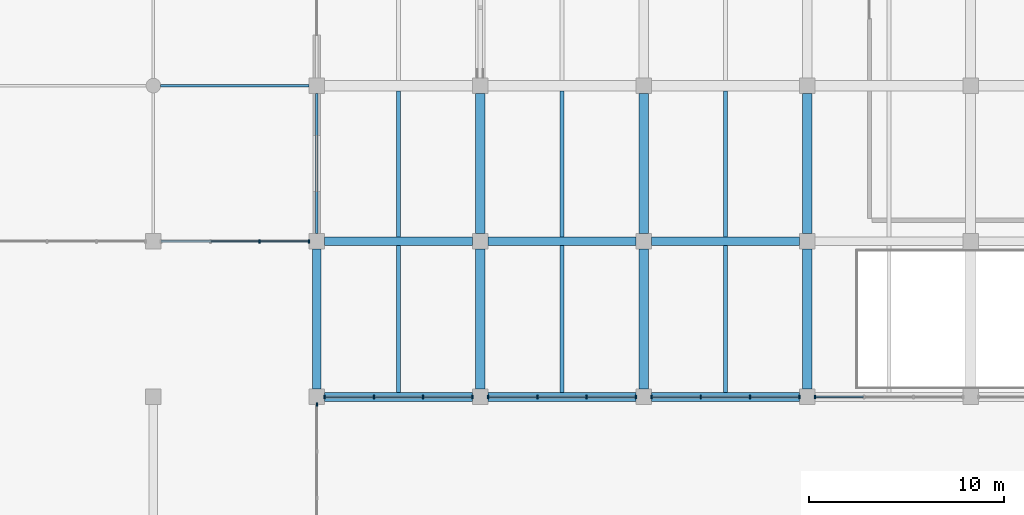
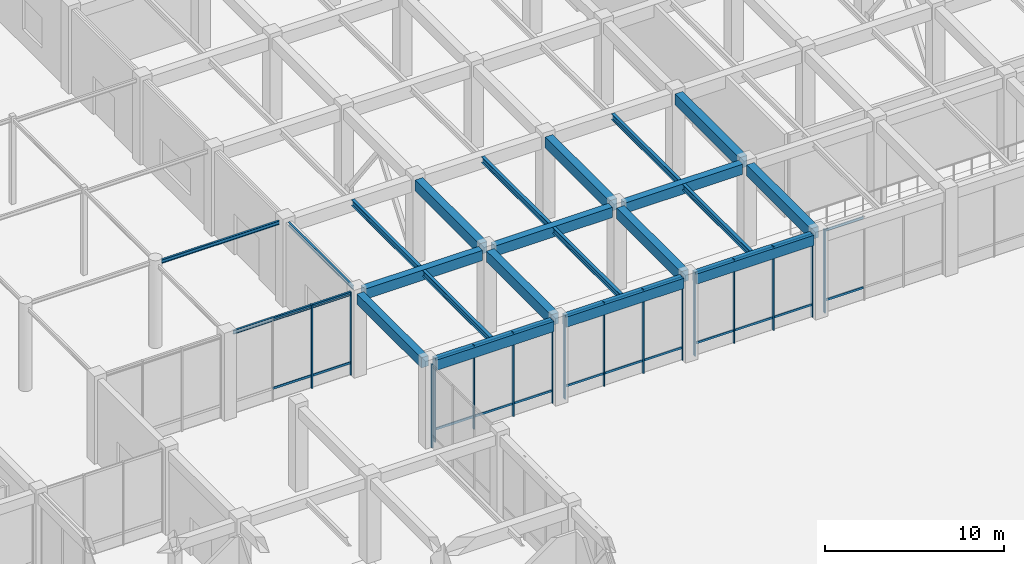
# One storey, part 32 of 76: 40 members, 22 beams, 6 elements without a shape of their own.
"""IFC4 building model written with IfcOpenShell, lengths in metres."""

from ifc_helpers import new_model, si_unit, direction, frame, origin, origin_2d, place, context, subcontext, project, spatial, rectangle, i_section, extrude, material, layer, layer_set, material_profile, profile_set, type_object, element, aggregate, save


model = new_model("IFC4")

# Units and contexts
model_context = context("Model", 3, precision=1e-05, world=origin(), true_north=direction((0.0, 1.0)))
body_context = subcontext(model_context, "Body", "Model", "MODEL_VIEW")
ifc_project = project(units=[si_unit("LENGTHUNIT", "METRE"), si_unit("AREAUNIT", "SQUARE_METRE"), si_unit("VOLUMEUNIT", "CUBIC_METRE"), si_unit("PLANEANGLEUNIT", "RADIAN"), si_unit("MASSUNIT", "GRAM", prefix="KILO")], contexts=[model_context])

# Site, building, storey
site_placement = place(None, origin())
site = spatial("IfcSite", under=ifc_project, at=site_placement, CompositionType="ELEMENT")
building_placement = place(site_placement, origin())
building = spatial("IfcBuilding", under=site, at=building_placement, Name="Naruveol Harbour Congress Hotel", CompositionType="ELEMENT")
storey_placement = place(building_placement, origin())
storey = spatial("IfcBuildingStorey", under=building, at=storey_placement, Name="L00", CompositionType="ELEMENT", Elevation=0.0)

# Beams
ifc_material_1 = material(Name="Concrete C40/50", Category="concrete")
ifc_material_profile_1 = material_profile(ifc_material_1, rectangle(XDim=0.5, YDim=0.75, at=origin_2d()), Name="RCB-500x750")
ifc_profile_set_1 = profile_set([ifc_material_profile_1], Name="Concrete C40/50")
beam_type_1 = type_object("IfcBeamType", Name="RC FLOOR GIRDER 500X750", PredefinedType="BEAM", material=ifc_profile_set_1)
for number, where, z_axis, x_axis, name in (
    (1, (75.60009765625, 64.39599609375, 5.324951171875), (0.0, 1.0, 0.0), (-1.0, 0.0, 0.0), "Transverse girder L01 CB3"),
    (2, (75.60009765625, 72.39599609375, 5.324951171875), (0.0, 1.0, 0.0), (-1.0, 0.0, 0.0), "Transverse girder L01 CB3"),
    (3, (84.0, 64.39599609375, 5.324951171875), (0.0, 1.0, 0.0), (-1.0, 0.0, 0.0), "Transverse girder L01 CB3"),
    (4, (84.0, 72.39599609375, 5.324951171875), (0.0, 1.0, 0.0), (-1.0, 0.0, 0.0), "Transverse girder L01 CB3"),
    (5, (92.39990234375, 64.39599609375, 5.324951171875), (0.0, 1.0, 0.0), (-1.0, 0.0, 0.0), "Transverse girder L01 CB3"),
    (6, (92.39990234375, 72.39599609375, 5.324951171875), (0.0, 1.0, 0.0), (-1.0, 0.0, 0.0), "Transverse girder L01 CB3"),
):
    element("IfcBeam", number, at=place(storey_placement, frame(where, z_axis=z_axis, x_axis=x_axis)), inside=storey, type_object=beam_type_1, Name=name, PredefinedType="BEAM", context=body_context, shape_type="SweptSolid", body=[
        extrude(rectangle(XDim=0.5, YDim=0.75, at=origin_2d()), origin(), (0.0, 0.0, 1.0), 7.2080078125),
    ])
ifc_material_2 = material(Name="Concrete C40/50", Category="concrete")
ifc_material_profile_2 = material_profile(ifc_material_2, rectangle(XDim=0.449951171875, YDim=0.699951171875, at=origin_2d()), Name="RCB-450x700")
ifc_profile_set_2 = profile_set([ifc_material_profile_2], Name="Concrete C40/50")
beam_type_2 = type_object("IfcBeamType", Name="RC SPANDREL BEAM 450X700", PredefinedType="SPANDREL", material=ifc_profile_set_2)
beam_1_placement = place(storey_placement, frame((67.595947265625, 64.0, 5.35009765625), z_axis=(1.0, 0.0, 0.0), x_axis=(0.0, 1.0, 0.0)))
element("IfcBeam", 7, at=beam_1_placement, inside=storey, type_object=beam_type_2, Name="Floor girder L01 SPB1", PredefinedType="SPANDREL", context=body_context, shape_type="SweptSolid", body=[
    extrude(rectangle(XDim=0.449951171875, YDim=0.699951171875, at=origin_2d()), origin(), (0.0, 0.0, 1.0), 7.608154296875),
])
for number, where, z_axis, x_axis, name in (
    (8, (75.99609375, 64.0, 5.35009765625), (1.0, 0.0, 0.0), (0.0, 1.0, 0.0), "Floor girder L01 SPB1"),
    (9, (84.39599609375, 64.0, 5.35009765625), (1.0, 0.0, 0.0), (0.0, 1.0, 0.0), "Floor girder L01 SPB1"),
):
    element("IfcBeam", number, at=place(storey_placement, frame(where, z_axis=z_axis, x_axis=x_axis)), inside=storey, type_object=beam_type_2, Name=name, PredefinedType="SPANDREL", context=body_context, shape_type="SweptSolid", body=[
        extrude(rectangle(XDim=0.449951171875, YDim=0.699951171875, at=origin_2d()), origin(), (0.0, 0.0, 1.0), 7.60791015625),
    ])
beam_2_placement = place(storey_placement, frame((67.595947265625, 72.0, 5.35009765625), z_axis=(1.0, 0.0, 0.0), x_axis=(0.0, 1.0, 0.0)))
element("IfcBeam", 10, at=beam_2_placement, inside=storey, type_object=beam_type_2, Name="Floor girder L01 SPB1", PredefinedType="SPANDREL", context=body_context, shape_type="SweptSolid", body=[
    extrude(rectangle(XDim=0.449951171875, YDim=0.699951171875, at=origin_2d()), origin(), (0.0, 0.0, 1.0), 7.608154296875),
])
for number, where, z_axis, x_axis, name in (
    (11, (75.99609375, 72.0, 5.35009765625), (1.0, 0.0, 0.0), (0.0, 1.0, 0.0), "Floor girder L01 SPB1"),
    (12, (84.39599609375, 72.0, 5.35009765625), (1.0, 0.0, 0.0), (0.0, 1.0, 0.0), "Floor girder L01 SPB1"),
):
    element("IfcBeam", number, at=place(storey_placement, frame(where, z_axis=z_axis, x_axis=x_axis)), inside=storey, type_object=beam_type_2, Name=name, PredefinedType="SPANDREL", context=body_context, shape_type="SweptSolid", body=[
        extrude(rectangle(XDim=0.449951171875, YDim=0.699951171875, at=origin_2d()), origin(), (0.0, 0.0, 1.0), 7.60791015625),
    ])
beam_3_placement = place(storey_placement, frame((67.199951171875, 64.39599609375, 5.35009765625), z_axis=(0.0, 1.0, 0.0), x_axis=(-1.0, 0.0, 0.0)))
element("IfcBeam", 13, at=beam_3_placement, inside=storey, type_object=beam_type_2, Name="Transverse girder L01 SPB1", PredefinedType="SPANDREL", context=body_context, shape_type="SweptSolid", body=[
    extrude(rectangle(XDim=0.449951171875, YDim=0.699951171875, at=origin_2d()), origin(), (0.0, 0.0, 1.0), 7.2080078125),
])
ifc_material_3 = material(Name="Steel SN490", Category="steel")
ifc_material_profile_3 = material_profile(ifc_material_3, i_section(OverallWidth=0.125, OverallDepth=0.25, WebThickness=0.006103515625, FlangeThickness=0.009033203125, at=origin_2d()), Name="H-250x125x6x9")
ifc_profile_set_3 = profile_set([ifc_material_profile_3], Name="Steel SN490")
beam_type_3 = type_object("IfcBeamType", Name="STEEL CANOPY EDGE BEAM H250", PredefinedType="BEAM", material=ifc_profile_set_3)
beam_4_placement = place(storey_placement, frame((59.196044921875, 72.0, 5.574951171875), z_axis=(1.0, 0.0, 0.0), x_axis=(0.0, 1.0, 0.0)))
element("IfcBeam", 14, at=beam_4_placement, inside=storey, type_object=beam_type_3, Name="Floor girder L01 SB3", PredefinedType="BEAM", context=body_context, shape_type="SweptSolid", body=[
    extrude(i_section(OverallWidth=0.125, OverallDepth=0.25, WebThickness=0.006103515625, FlangeThickness=0.009033203125, at=origin_2d()), origin(), (0.0, 0.0, 1.0), 7.60791015625),
])
beam_5_placement = place(storey_placement, frame((59.1708984375, 80.0, 5.574951171875), z_axis=(1.0, 0.0, 0.0), x_axis=(0.0, 1.0, 0.0)))
element("IfcBeam", 15, at=beam_5_placement, inside=storey, type_object=beam_type_3, Name="Floor girder L01 SB3", PredefinedType="BEAM", context=body_context, shape_type="SweptSolid", body=[
    extrude(i_section(OverallWidth=0.125, OverallDepth=0.25, WebThickness=0.006103515625, FlangeThickness=0.009033203125, at=origin_2d()), origin(), (0.0, 0.0, 1.0), 7.633056640625),
])
beam_6_placement = place(storey_placement, frame((67.199951171875, 72.39599609375, 5.574951171875), z_axis=(0.0, 1.0, 0.0), x_axis=(-1.0, 0.0, 0.0)))
element("IfcBeam", 16, at=beam_6_placement, inside=storey, type_object=beam_type_3, Name="Transverse girder L01 SB3", PredefinedType="BEAM", context=body_context, shape_type="SweptSolid", body=[
    extrude(i_section(OverallWidth=0.125, OverallDepth=0.25, WebThickness=0.006103515625, FlangeThickness=0.009033203125, at=origin_2d()), origin(), (0.0, 0.0, 1.0), 7.2080078125),
])
ifc_material_4 = material(Name="Steel SN490", Category="steel")
ifc_material_profile_4 = material_profile(ifc_material_4, i_section(OverallWidth=0.199951171875, OverallDepth=0.39990234375, WebThickness=0.008056640625, FlangeThickness=0.012939453125, at=origin_2d()), Name="H-400x200x8x13")
ifc_profile_set_4 = profile_set([ifc_material_profile_4], Name="Steel SN490")
beam_type_4 = type_object("IfcBeamType", Name="STEEL SECONDARY JOIST H400", PredefinedType="JOIST", material=ifc_profile_set_4)
for number, where, z_axis, x_axis, name in (
    (17, (71.39990234375, 64.220947265625, 5.5), (0.0, 1.0, 0.0), (-1.0, 0.0, 0.0), "Secondary floor joist L01 SJ1"),
    (18, (79.800048828125, 64.220947265625, 5.5), (0.0, 1.0, 0.0), (-1.0, 0.0, 0.0), "Secondary floor joist L01 SJ1"),
    (19, (88.199951171875, 64.220947265625, 5.5), (0.0, 1.0, 0.0), (-1.0, 0.0, 0.0), "Secondary floor joist L01 SJ1"),
):
    element("IfcBeam", number, at=place(storey_placement, frame(where, z_axis=z_axis, x_axis=x_axis)), inside=storey, type_object=beam_type_4, Name=name, PredefinedType="JOIST", context=body_context, shape_type="SweptSolid", body=[
        extrude(i_section(OverallWidth=0.199951171875, OverallDepth=0.39990234375, WebThickness=0.008056640625, FlangeThickness=0.012939453125, at=origin_2d()), origin(), (0.0, 0.0, 1.0), 7.55810546875),
    ])
for number, where, z_axis, x_axis, name in (
    (20, (71.39990234375, 72.220947265625, 5.5), (0.0, 1.0, 0.0), (-1.0, 0.0, 0.0), "Secondary floor joist L01 SJ1"),
    (21, (79.800048828125, 72.220947265625, 5.5), (0.0, 1.0, 0.0), (-1.0, 0.0, 0.0), "Secondary floor joist L01 SJ1"),
    (22, (88.199951171875, 72.220947265625, 5.5), (0.0, 1.0, 0.0), (-1.0, 0.0, 0.0), "Secondary floor joist L01 SJ1"),
):
    element("IfcBeam", number, at=place(storey_placement, frame(where, z_axis=z_axis, x_axis=x_axis)), inside=storey, type_object=beam_type_4, Name=name, PredefinedType="JOIST", context=body_context, shape_type="SweptSolid", body=[
        extrude(i_section(OverallWidth=0.199951171875, OverallDepth=0.39990234375, WebThickness=0.008056640625, FlangeThickness=0.012939453125, at=origin_2d()), origin(), (0.0, 0.0, 1.0), 7.508056640625),
    ])

# Curtain wall, members
ifc_material_5 = material(Name="Low-E Curtain Wall System", Category="glass")
ifc_layer_1 = layer(ifc_material_5, 0.179931640625)
ifc_layer_set_1 = layer_set([ifc_layer_1], Name="Low-E Curtain Wall System")
curtain_wall_type_1 = type_object("IfcCurtainWallType", Name="UNITISED CURTAIN WALL CW-V4NF-25 7600X5700", PredefinedType="USERDEFINED", material=ifc_layer_set_1)
curtain_wall_1_placement = place(storey_placement, origin())
curtain_wall_1 = element("IfcCurtainWall", 23, at=curtain_wall_1_placement, inside=storey, type_object=curtain_wall_type_1, Name="Unitised curtain wall CW-V4NF-25 L00", ObjectType="UNITISED GLAZING", PredefinedType="USERDEFINED")
ifc_material_6 = material(Name="Anodised Aluminium 6063-T6", Category="aluminium")
ifc_material_profile_5 = material_profile(ifc_material_6, rectangle(XDim=0.074951171875, YDim=0.179931640625, at=origin_2d()), Name="ALU-75x180")
ifc_profile_set_5 = profile_set([ifc_material_profile_5], Name="Anodised Aluminium 6063-T6")
member_type_1 = type_object("IfcMemberType", Name="THERMAL ALUMINIUM MULLION 75X180", PredefinedType="MULLION", material=ifc_profile_set_5)
member_1_placement = place(storey_placement, frame((64.2666015625, 72.0, 0.0), z_axis=(0.0, 0.0, 1.0), x_axis=(1.0, 0.0, 0.0)))
member_1 = element("IfcMember", 24, at=member_1_placement, type_object=member_type_1, Name="Curtain wall mullion CW-L00-0053-M2", PredefinedType="MULLION", context=body_context, shape_type="SweptSolid", body=[
    extrude(rectangle(XDim=0.074951171875, YDim=0.179931640625, at=origin_2d()), origin(), (0.0, 0.0, 1.0), 5.699951171875),
])
member_2_placement = place(storey_placement, frame((66.800048828125, 72.0, 0.0), z_axis=(0.0, 0.0, 1.0), x_axis=(1.0, 0.0, 0.0)))
member_2 = element("IfcMember", 25, at=member_2_placement, type_object=member_type_1, Name="Curtain wall mullion CW-L00-0053-M3", PredefinedType="MULLION", context=body_context, shape_type="SweptSolid", body=[
    extrude(rectangle(XDim=0.074951171875, YDim=0.179931640625, at=origin_2d()), origin(), (0.0, 0.0, 1.0), 5.699951171875),
])

ifc_material_7 = material(Name="Low-E Curtain Wall System", Category="glass")
ifc_layer_2 = layer(ifc_material_7, 0.179931640625)
ifc_layer_set_2 = layer_set([ifc_layer_2], Name="Low-E Curtain Wall System")
curtain_wall_type_2 = type_object("IfcCurtainWallType", Name="UNITISED CURTAIN WALL CW-CTN-26 7600X5700", PredefinedType="USERDEFINED", material=ifc_layer_set_2)
curtain_wall_2_placement = place(storey_placement, origin())
curtain_wall_2 = element("IfcCurtainWall", 26, at=curtain_wall_2_placement, inside=storey, type_object=curtain_wall_type_2, Name="Unitised curtain wall CW-CTN-26 L00", ObjectType="UNITISED GLAZING", PredefinedType="USERDEFINED")
member_3_placement = place(storey_placement, frame((75.199951171875, 64.0, 0.0), z_axis=(0.0, 0.0, 1.0), x_axis=(1.0, 0.0, 0.0)))
member_3 = element("IfcMember", 27, at=member_3_placement, type_object=member_type_1, Name="Curtain wall mullion CW-L00-0054-M0", PredefinedType="MULLION", context=body_context, shape_type="SweptSolid", body=[
    extrude(rectangle(XDim=0.074951171875, YDim=0.179931640625, at=origin_2d()), origin(), (0.0, 0.0, 1.0), 5.699951171875),
])
member_4_placement = place(storey_placement, frame((72.666748046875, 64.0, 0.0), z_axis=(0.0, 0.0, 1.0), x_axis=(1.0, 0.0, 0.0)))
member_4 = element("IfcMember", 28, at=member_4_placement, type_object=member_type_1, Name="Curtain wall mullion CW-L00-0054-M1", PredefinedType="MULLION", context=body_context, shape_type="SweptSolid", body=[
    extrude(rectangle(XDim=0.074951171875, YDim=0.179931640625, at=origin_2d()), origin(), (0.0, 0.0, 1.0), 5.699951171875),
])
member_5_placement = place(storey_placement, frame((70.13330078125, 64.0, 0.0), z_axis=(0.0, 0.0, 1.0), x_axis=(1.0, 0.0, 0.0)))
member_5 = element("IfcMember", 29, at=member_5_placement, type_object=member_type_1, Name="Curtain wall mullion CW-L00-0054-M2", PredefinedType="MULLION", context=body_context, shape_type="SweptSolid", body=[
    extrude(rectangle(XDim=0.074951171875, YDim=0.179931640625, at=origin_2d()), origin(), (0.0, 0.0, 1.0), 5.699951171875),
])
member_6_placement = place(storey_placement, frame((67.60009765625, 64.0, 0.0), z_axis=(0.0, 0.0, 1.0), x_axis=(1.0, 0.0, 0.0)))
member_6 = element("IfcMember", 30, at=member_6_placement, type_object=member_type_1, Name="Curtain wall mullion CW-L00-0054-M3", PredefinedType="MULLION", context=body_context, shape_type="SweptSolid", body=[
    extrude(rectangle(XDim=0.074951171875, YDim=0.179931640625, at=origin_2d()), origin(), (0.0, 0.0, 1.0), 5.699951171875),
])

curtain_wall_3_placement = place(storey_placement, origin())
curtain_wall_3 = element("IfcCurtainWall", 31, at=curtain_wall_3_placement, inside=storey, type_object=curtain_wall_type_2, Name="Unitised curtain wall CW-CTN-26 L00", ObjectType="UNITISED GLAZING", PredefinedType="USERDEFINED")
member_7_placement = place(storey_placement, frame((83.60009765625, 64.0, 0.0), z_axis=(0.0, 0.0, 1.0), x_axis=(1.0, 0.0, 0.0)))
member_7 = element("IfcMember", 32, at=member_7_placement, type_object=member_type_1, Name="Curtain wall mullion CW-L00-0056-M0", PredefinedType="MULLION", context=body_context, shape_type="SweptSolid", body=[
    extrude(rectangle(XDim=0.074951171875, YDim=0.179931640625, at=origin_2d()), origin(), (0.0, 0.0, 1.0), 5.699951171875),
])
member_8_placement = place(storey_placement, frame((81.066650390625, 64.0, 0.0), z_axis=(0.0, 0.0, 1.0), x_axis=(1.0, 0.0, 0.0)))
member_8 = element("IfcMember", 33, at=member_8_placement, type_object=member_type_1, Name="Curtain wall mullion CW-L00-0056-M1", PredefinedType="MULLION", context=body_context, shape_type="SweptSolid", body=[
    extrude(rectangle(XDim=0.074951171875, YDim=0.179931640625, at=origin_2d()), origin(), (0.0, 0.0, 1.0), 5.699951171875),
])
member_9_placement = place(storey_placement, frame((78.533203125, 64.0, 0.0), z_axis=(0.0, 0.0, 1.0), x_axis=(1.0, 0.0, 0.0)))
member_9 = element("IfcMember", 34, at=member_9_placement, type_object=member_type_1, Name="Curtain wall mullion CW-L00-0056-M2", PredefinedType="MULLION", context=body_context, shape_type="SweptSolid", body=[
    extrude(rectangle(XDim=0.074951171875, YDim=0.179931640625, at=origin_2d()), origin(), (0.0, 0.0, 1.0), 5.699951171875),
])
member_10_placement = place(storey_placement, frame((76.0, 64.0, 0.0), z_axis=(0.0, 0.0, 1.0), x_axis=(1.0, 0.0, 0.0)))
member_10 = element("IfcMember", 35, at=member_10_placement, type_object=member_type_1, Name="Curtain wall mullion CW-L00-0056-M3", PredefinedType="MULLION", context=body_context, shape_type="SweptSolid", body=[
    extrude(rectangle(XDim=0.074951171875, YDim=0.179931640625, at=origin_2d()), origin(), (0.0, 0.0, 1.0), 5.699951171875),
])

curtain_wall_4_placement = place(storey_placement, origin())
curtain_wall_4 = element("IfcCurtainWall", 36, at=curtain_wall_4_placement, inside=storey, type_object=curtain_wall_type_2, Name="Unitised curtain wall CW-CTN-26 L00", ObjectType="UNITISED GLAZING", PredefinedType="USERDEFINED")
member_11_placement = place(storey_placement, frame((92.0, 64.0, 0.0), z_axis=(0.0, 0.0, 1.0), x_axis=(1.0, 0.0, 0.0)))
member_11 = element("IfcMember", 37, at=member_11_placement, type_object=member_type_1, Name="Curtain wall mullion CW-L00-0058-M0", PredefinedType="MULLION", context=body_context, shape_type="SweptSolid", body=[
    extrude(rectangle(XDim=0.074951171875, YDim=0.179931640625, at=origin_2d()), origin(), (0.0, 0.0, 1.0), 5.699951171875),
])
member_12_placement = place(storey_placement, frame((89.466796875, 64.0, 0.0), z_axis=(0.0, 0.0, 1.0), x_axis=(1.0, 0.0, 0.0)))
member_12 = element("IfcMember", 38, at=member_12_placement, type_object=member_type_1, Name="Curtain wall mullion CW-L00-0058-M1", PredefinedType="MULLION", context=body_context, shape_type="SweptSolid", body=[
    extrude(rectangle(XDim=0.074951171875, YDim=0.179931640625, at=origin_2d()), origin(), (0.0, 0.0, 1.0), 5.699951171875),
])
member_13_placement = place(storey_placement, frame((86.933349609375, 64.0, 0.0), z_axis=(0.0, 0.0, 1.0), x_axis=(1.0, 0.0, 0.0)))
member_13 = element("IfcMember", 39, at=member_13_placement, type_object=member_type_1, Name="Curtain wall mullion CW-L00-0058-M2", PredefinedType="MULLION", context=body_context, shape_type="SweptSolid", body=[
    extrude(rectangle(XDim=0.074951171875, YDim=0.179931640625, at=origin_2d()), origin(), (0.0, 0.0, 1.0), 5.699951171875),
])
member_14_placement = place(storey_placement, frame((84.39990234375, 64.0, 0.0), z_axis=(0.0, 0.0, 1.0), x_axis=(1.0, 0.0, 0.0)))
member_14 = element("IfcMember", 40, at=member_14_placement, type_object=member_type_1, Name="Curtain wall mullion CW-L00-0058-M3", PredefinedType="MULLION", context=body_context, shape_type="SweptSolid", body=[
    extrude(rectangle(XDim=0.074951171875, YDim=0.179931640625, at=origin_2d()), origin(), (0.0, 0.0, 1.0), 5.699951171875),
])

# Curtain wall, member
curtain_wall_5_placement = place(storey_placement, origin())
curtain_wall_5 = element("IfcCurtainWall", 41, at=curtain_wall_5_placement, inside=storey, type_object=curtain_wall_type_2, Name="Unitised curtain wall CW-CTN-26 L00", ObjectType="UNITISED GLAZING", PredefinedType="USERDEFINED")
member_15_placement = place(storey_placement, frame((92.800048828125, 64.0, 0.0), z_axis=(0.0, 0.0, 1.0), x_axis=(1.0, 0.0, 0.0)))
member_15 = element("IfcMember", 42, at=member_15_placement, type_object=member_type_1, Name="Curtain wall mullion CW-L00-0059-M3", PredefinedType="MULLION", context=body_context, shape_type="SweptSolid", body=[
    extrude(rectangle(XDim=0.074951171875, YDim=0.179931640625, at=origin_2d()), origin(), (0.0, 0.0, 1.0), 5.699951171875),
])

ifc_material_8 = material(Name="Low-E Curtain Wall System", Category="glass")
ifc_layer_3 = layer(ifc_material_8, 0.179931640625)
ifc_layer_set_3 = layer_set([ifc_layer_3], Name="Low-E Curtain Wall System")
curtain_wall_type_3 = type_object("IfcCurtainWallType", Name="UNITISED CURTAIN WALL CW-CTW-28 7200X5700", PredefinedType="USERDEFINED", material=ifc_layer_set_3)
curtain_wall_6_placement = place(storey_placement, origin())
curtain_wall_6 = element("IfcCurtainWall", 43, at=curtain_wall_6_placement, inside=storey, type_object=curtain_wall_type_3, Name="Unitised curtain wall CW-CTW-28 L00", ObjectType="UNITISED GLAZING", PredefinedType="USERDEFINED")
member_16_placement = place(storey_placement, frame((67.199951171875, 63.60009765625, 0.0), z_axis=(0.0, 0.0, 1.0), x_axis=(1.0, 0.0, 0.0)))
member_16 = element("IfcMember", 44, at=member_16_placement, type_object=member_type_1, Name="Curtain wall mullion CW-L00-0069-M3", PredefinedType="MULLION", context=body_context, shape_type="SweptSolid", body=[
    extrude(rectangle(XDim=0.074951171875, YDim=0.179931640625, at=origin_2d()), origin(), (0.0, 0.0, 1.0), 5.699951171875),
])
aggregate(curtain_wall_6, [member_16])

# Member
ifc_material_9 = material(Name="Anodised Aluminium 6063-T6", Category="aluminium")
ifc_material_profile_6 = material_profile(ifc_material_9, rectangle(XDim=0.074951171875, YDim=0.14990234375, at=origin_2d()), Name="ALU-75x150")
ifc_profile_set_6 = profile_set([ifc_material_profile_6], Name="Anodised Aluminium 6063-T6")
member_type_2 = type_object("IfcMemberType", Name="THERMAL ALUMINIUM TRANSOM 75X150", PredefinedType="USERDEFINED", material=ifc_profile_set_6)
member_17_placement = place(storey_placement, frame((61.773193359375, 72.0, 0.85009765625), z_axis=(1.0, 0.0, 0.0), x_axis=(0.0, 1.0, 0.0)))
member_17 = element("IfcMember", 45, at=member_17_placement, type_object=member_type_2, Name="Curtain wall transom CW-L00-0053-T1.1", ObjectType="TRANSOM", PredefinedType="USERDEFINED", context=body_context, shape_type="SweptSolid", body=[
    extrude(rectangle(XDim=0.074951171875, YDim=0.14990234375, at=origin_2d()), origin(), (0.0, 0.0, 1.0), 2.45361328125),
])

member_18_placement = place(storey_placement, frame((61.773193359375, 72.0, 5.6201171875), z_axis=(1.0, 0.0, 0.0), x_axis=(0.0, 1.0, 0.0)))
member_18 = element("IfcMember", 46, at=member_18_placement, type_object=member_type_2, Name="Curtain wall transom CW-L00-0053-T1.2", ObjectType="TRANSOM", PredefinedType="USERDEFINED", context=body_context, shape_type="SweptSolid", body=[
    extrude(rectangle(XDim=0.074951171875, YDim=0.14990234375, at=origin_2d()), origin(), (0.0, 0.0, 1.0), 2.45361328125),
])

member_19_placement = place(storey_placement, frame((64.306640625, 72.0, 0.85009765625), z_axis=(1.0, 0.0, 0.0), x_axis=(0.0, 1.0, 0.0)))
member_19 = element("IfcMember", 47, at=member_19_placement, type_object=member_type_2, Name="Curtain wall transom CW-L00-0053-T2.1", ObjectType="TRANSOM", PredefinedType="USERDEFINED", context=body_context, shape_type="SweptSolid", body=[
    extrude(rectangle(XDim=0.074951171875, YDim=0.14990234375, at=origin_2d()), origin(), (0.0, 0.0, 1.0), 2.453369140625),
])

member_20_placement = place(storey_placement, frame((64.306640625, 72.0, 5.6201171875), z_axis=(1.0, 0.0, 0.0), x_axis=(0.0, 1.0, 0.0)))
member_20 = element("IfcMember", 48, at=member_20_placement, type_object=member_type_2, Name="Curtain wall transom CW-L00-0053-T2.2", ObjectType="TRANSOM", PredefinedType="USERDEFINED", context=body_context, shape_type="SweptSolid", body=[
    extrude(rectangle(XDim=0.074951171875, YDim=0.14990234375, at=origin_2d()), origin(), (0.0, 0.0, 1.0), 2.453369140625),
])

aggregate(curtain_wall_1, [member_1, member_2, member_17, member_18, member_19, member_20])

member_21_placement = place(storey_placement, frame((75.159912109375, 64.0, 0.85009765625), z_axis=(-1.0, 0.0, 0.0), x_axis=(0.0, -1.0, 0.0)))
member_21 = element("IfcMember", 49, at=member_21_placement, type_object=member_type_2, Name="Curtain wall transom CW-L00-0054-T0.1", ObjectType="TRANSOM", PredefinedType="USERDEFINED", context=body_context, shape_type="SweptSolid", body=[
    extrude(rectangle(XDim=0.074951171875, YDim=0.14990234375, at=origin_2d()), origin(), (0.0, 0.0, 1.0), 2.453125),
])

member_22_placement = place(storey_placement, frame((75.159912109375, 64.0, 5.6201171875), z_axis=(-1.0, 0.0, 0.0), x_axis=(0.0, -1.0, 0.0)))
member_22 = element("IfcMember", 50, at=member_22_placement, type_object=member_type_2, Name="Curtain wall transom CW-L00-0054-T0.2", ObjectType="TRANSOM", PredefinedType="USERDEFINED", context=body_context, shape_type="SweptSolid", body=[
    extrude(rectangle(XDim=0.074951171875, YDim=0.14990234375, at=origin_2d()), origin(), (0.0, 0.0, 1.0), 2.453125),
])

member_23_placement = place(storey_placement, frame((72.626708984375, 64.0, 0.85009765625), z_axis=(-1.0, 0.0, 0.0), x_axis=(0.0, -1.0, 0.0)))
member_23 = element("IfcMember", 51, at=member_23_placement, type_object=member_type_2, Name="Curtain wall transom CW-L00-0054-T1.1", ObjectType="TRANSOM", PredefinedType="USERDEFINED", context=body_context, shape_type="SweptSolid", body=[
    extrude(rectangle(XDim=0.074951171875, YDim=0.14990234375, at=origin_2d()), origin(), (0.0, 0.0, 1.0), 2.453369140625),
])

member_24_placement = place(storey_placement, frame((72.626708984375, 64.0, 5.6201171875), z_axis=(-1.0, 0.0, 0.0), x_axis=(0.0, -1.0, 0.0)))
member_24 = element("IfcMember", 52, at=member_24_placement, type_object=member_type_2, Name="Curtain wall transom CW-L00-0054-T1.2", ObjectType="TRANSOM", PredefinedType="USERDEFINED", context=body_context, shape_type="SweptSolid", body=[
    extrude(rectangle(XDim=0.074951171875, YDim=0.14990234375, at=origin_2d()), origin(), (0.0, 0.0, 1.0), 2.453369140625),
])

member_25_placement = place(storey_placement, frame((70.09326171875, 64.0, 0.85009765625), z_axis=(-1.0, 0.0, 0.0), x_axis=(0.0, -1.0, 0.0)))
member_25 = element("IfcMember", 53, at=member_25_placement, type_object=member_type_2, Name="Curtain wall transom CW-L00-0054-T2.1", ObjectType="TRANSOM", PredefinedType="USERDEFINED", context=body_context, shape_type="SweptSolid", body=[
    extrude(rectangle(XDim=0.074951171875, YDim=0.14990234375, at=origin_2d()), origin(), (0.0, 0.0, 1.0), 2.453369140625),
])

member_26_placement = place(storey_placement, frame((70.09326171875, 64.0, 5.6201171875), z_axis=(-1.0, 0.0, 0.0), x_axis=(0.0, -1.0, 0.0)))
member_26 = element("IfcMember", 54, at=member_26_placement, type_object=member_type_2, Name="Curtain wall transom CW-L00-0054-T2.2", ObjectType="TRANSOM", PredefinedType="USERDEFINED", context=body_context, shape_type="SweptSolid", body=[
    extrude(rectangle(XDim=0.074951171875, YDim=0.14990234375, at=origin_2d()), origin(), (0.0, 0.0, 1.0), 2.453369140625),
])

aggregate(curtain_wall_2, [member_3, member_4, member_5, member_6, member_21, member_22, member_23, member_24, member_25, member_26])

member_27_placement = place(storey_placement, frame((83.56005859375, 64.0, 0.85009765625), z_axis=(-1.0, 0.0, 0.0), x_axis=(0.0, -1.0, 0.0)))
member_27 = element("IfcMember", 55, at=member_27_placement, type_object=member_type_2, Name="Curtain wall transom CW-L00-0056-T0.1", ObjectType="TRANSOM", PredefinedType="USERDEFINED", context=body_context, shape_type="SweptSolid", body=[
    extrude(rectangle(XDim=0.074951171875, YDim=0.14990234375, at=origin_2d()), origin(), (0.0, 0.0, 1.0), 2.453369140625),
])

member_28_placement = place(storey_placement, frame((83.56005859375, 64.0, 5.6201171875), z_axis=(-1.0, 0.0, 0.0), x_axis=(0.0, -1.0, 0.0)))
member_28 = element("IfcMember", 56, at=member_28_placement, type_object=member_type_2, Name="Curtain wall transom CW-L00-0056-T0.2", ObjectType="TRANSOM", PredefinedType="USERDEFINED", context=body_context, shape_type="SweptSolid", body=[
    extrude(rectangle(XDim=0.074951171875, YDim=0.14990234375, at=origin_2d()), origin(), (0.0, 0.0, 1.0), 2.453369140625),
])

member_29_placement = place(storey_placement, frame((81.026611328125, 64.0, 0.85009765625), z_axis=(-1.0, 0.0, 0.0), x_axis=(0.0, -1.0, 0.0)))
member_29 = element("IfcMember", 57, at=member_29_placement, type_object=member_type_2, Name="Curtain wall transom CW-L00-0056-T1.1", ObjectType="TRANSOM", PredefinedType="USERDEFINED", context=body_context, shape_type="SweptSolid", body=[
    extrude(rectangle(XDim=0.074951171875, YDim=0.14990234375, at=origin_2d()), origin(), (0.0, 0.0, 1.0), 2.453369140625),
])

member_30_placement = place(storey_placement, frame((81.026611328125, 64.0, 5.6201171875), z_axis=(-1.0, 0.0, 0.0), x_axis=(0.0, -1.0, 0.0)))
member_30 = element("IfcMember", 58, at=member_30_placement, type_object=member_type_2, Name="Curtain wall transom CW-L00-0056-T1.2", ObjectType="TRANSOM", PredefinedType="USERDEFINED", context=body_context, shape_type="SweptSolid", body=[
    extrude(rectangle(XDim=0.074951171875, YDim=0.14990234375, at=origin_2d()), origin(), (0.0, 0.0, 1.0), 2.453369140625),
])

member_31_placement = place(storey_placement, frame((78.493408203125, 64.0, 0.85009765625), z_axis=(-1.0, 0.0, 0.0), x_axis=(0.0, -1.0, 0.0)))
member_31 = element("IfcMember", 59, at=member_31_placement, type_object=member_type_2, Name="Curtain wall transom CW-L00-0056-T2.1", ObjectType="TRANSOM", PredefinedType="USERDEFINED", context=body_context, shape_type="SweptSolid", body=[
    extrude(rectangle(XDim=0.074951171875, YDim=0.14990234375, at=origin_2d()), origin(), (0.0, 0.0, 1.0), 2.453369140625),
])

member_32_placement = place(storey_placement, frame((78.493408203125, 64.0, 5.6201171875), z_axis=(-1.0, 0.0, 0.0), x_axis=(0.0, -1.0, 0.0)))
member_32 = element("IfcMember", 60, at=member_32_placement, type_object=member_type_2, Name="Curtain wall transom CW-L00-0056-T2.2", ObjectType="TRANSOM", PredefinedType="USERDEFINED", context=body_context, shape_type="SweptSolid", body=[
    extrude(rectangle(XDim=0.074951171875, YDim=0.14990234375, at=origin_2d()), origin(), (0.0, 0.0, 1.0), 2.453369140625),
])

aggregate(curtain_wall_3, [member_7, member_8, member_9, member_10, member_27, member_28, member_29, member_30, member_31, member_32])

member_33_placement = place(storey_placement, frame((91.9599609375, 64.0, 0.85009765625), z_axis=(-1.0, 0.0, 0.0), x_axis=(0.0, -1.0, 0.0)))
member_33 = element("IfcMember", 61, at=member_33_placement, type_object=member_type_2, Name="Curtain wall transom CW-L00-0058-T0.1", ObjectType="TRANSOM", PredefinedType="USERDEFINED", context=body_context, shape_type="SweptSolid", body=[
    extrude(rectangle(XDim=0.074951171875, YDim=0.14990234375, at=origin_2d()), origin(), (0.0, 0.0, 1.0), 2.453369140625),
])

member_34_placement = place(storey_placement, frame((91.9599609375, 64.0, 5.6201171875), z_axis=(-1.0, 0.0, 0.0), x_axis=(0.0, -1.0, 0.0)))
member_34 = element("IfcMember", 62, at=member_34_placement, type_object=member_type_2, Name="Curtain wall transom CW-L00-0058-T0.2", ObjectType="TRANSOM", PredefinedType="USERDEFINED", context=body_context, shape_type="SweptSolid", body=[
    extrude(rectangle(XDim=0.074951171875, YDim=0.14990234375, at=origin_2d()), origin(), (0.0, 0.0, 1.0), 2.453369140625),
])

member_35_placement = place(storey_placement, frame((89.4267578125, 64.0, 0.85009765625), z_axis=(-1.0, 0.0, 0.0), x_axis=(0.0, -1.0, 0.0)))
member_35 = element("IfcMember", 63, at=member_35_placement, type_object=member_type_2, Name="Curtain wall transom CW-L00-0058-T1.1", ObjectType="TRANSOM", PredefinedType="USERDEFINED", context=body_context, shape_type="SweptSolid", body=[
    extrude(rectangle(XDim=0.074951171875, YDim=0.14990234375, at=origin_2d()), origin(), (0.0, 0.0, 1.0), 2.453369140625),
])

member_36_placement = place(storey_placement, frame((89.4267578125, 64.0, 5.6201171875), z_axis=(-1.0, 0.0, 0.0), x_axis=(0.0, -1.0, 0.0)))
member_36 = element("IfcMember", 64, at=member_36_placement, type_object=member_type_2, Name="Curtain wall transom CW-L00-0058-T1.2", ObjectType="TRANSOM", PredefinedType="USERDEFINED", context=body_context, shape_type="SweptSolid", body=[
    extrude(rectangle(XDim=0.074951171875, YDim=0.14990234375, at=origin_2d()), origin(), (0.0, 0.0, 1.0), 2.453369140625),
])

member_37_placement = place(storey_placement, frame((86.893310546875, 64.0, 0.85009765625), z_axis=(-1.0, 0.0, 0.0), x_axis=(0.0, -1.0, 0.0)))
member_37 = element("IfcMember", 65, at=member_37_placement, type_object=member_type_2, Name="Curtain wall transom CW-L00-0058-T2.1", ObjectType="TRANSOM", PredefinedType="USERDEFINED", context=body_context, shape_type="SweptSolid", body=[
    extrude(rectangle(XDim=0.074951171875, YDim=0.14990234375, at=origin_2d()), origin(), (0.0, 0.0, 1.0), 2.453369140625),
])

member_38_placement = place(storey_placement, frame((86.893310546875, 64.0, 5.6201171875), z_axis=(-1.0, 0.0, 0.0), x_axis=(0.0, -1.0, 0.0)))
member_38 = element("IfcMember", 66, at=member_38_placement, type_object=member_type_2, Name="Curtain wall transom CW-L00-0058-T2.2", ObjectType="TRANSOM", PredefinedType="USERDEFINED", context=body_context, shape_type="SweptSolid", body=[
    extrude(rectangle(XDim=0.074951171875, YDim=0.14990234375, at=origin_2d()), origin(), (0.0, 0.0, 1.0), 2.453369140625),
])

aggregate(curtain_wall_4, [member_11, member_12, member_13, member_14, member_33, member_34, member_35, member_36, member_37, member_38])

member_39_placement = place(storey_placement, frame((95.293212890625, 64.0, 0.85009765625), z_axis=(-1.0, 0.0, 0.0), x_axis=(0.0, -1.0, 0.0)))
member_39 = element("IfcMember", 67, at=member_39_placement, type_object=member_type_2, Name="Curtain wall transom CW-L00-0059-T2.1", ObjectType="TRANSOM", PredefinedType="USERDEFINED", context=body_context, shape_type="SweptSolid", body=[
    extrude(rectangle(XDim=0.074951171875, YDim=0.14990234375, at=origin_2d()), origin(), (0.0, 0.0, 1.0), 2.453125),
])

member_40_placement = place(storey_placement, frame((95.293212890625, 64.0, 5.6201171875), z_axis=(-1.0, 0.0, 0.0), x_axis=(0.0, -1.0, 0.0)))
member_40 = element("IfcMember", 68, at=member_40_placement, type_object=member_type_2, Name="Curtain wall transom CW-L00-0059-T2.2", ObjectType="TRANSOM", PredefinedType="USERDEFINED", context=body_context, shape_type="SweptSolid", body=[
    extrude(rectangle(XDim=0.074951171875, YDim=0.14990234375, at=origin_2d()), origin(), (0.0, 0.0, 1.0), 2.453125),
])

aggregate(curtain_wall_5, [member_15, member_39, member_40])

save(model, "model.ifc")
